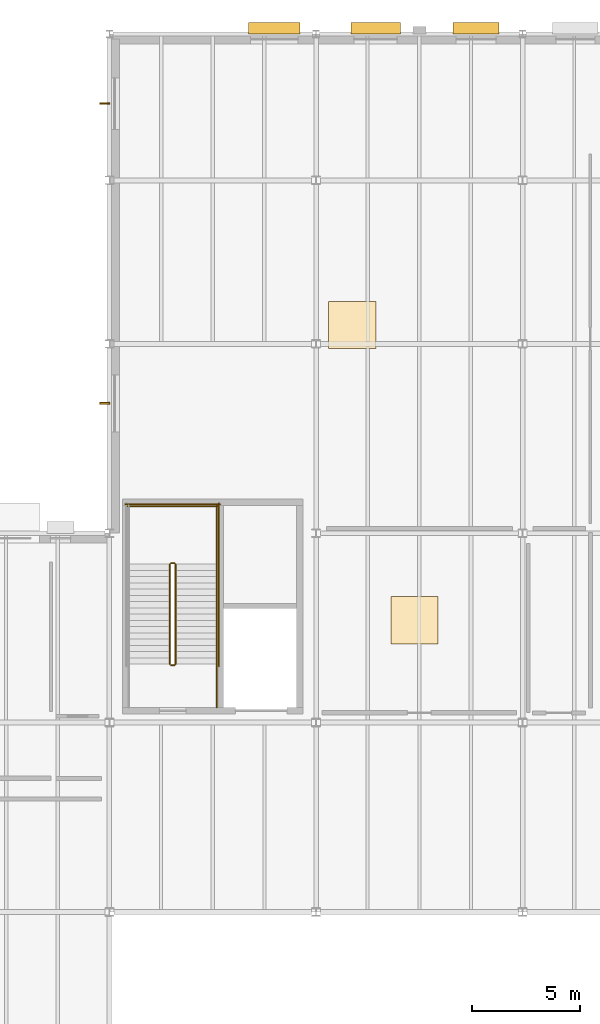
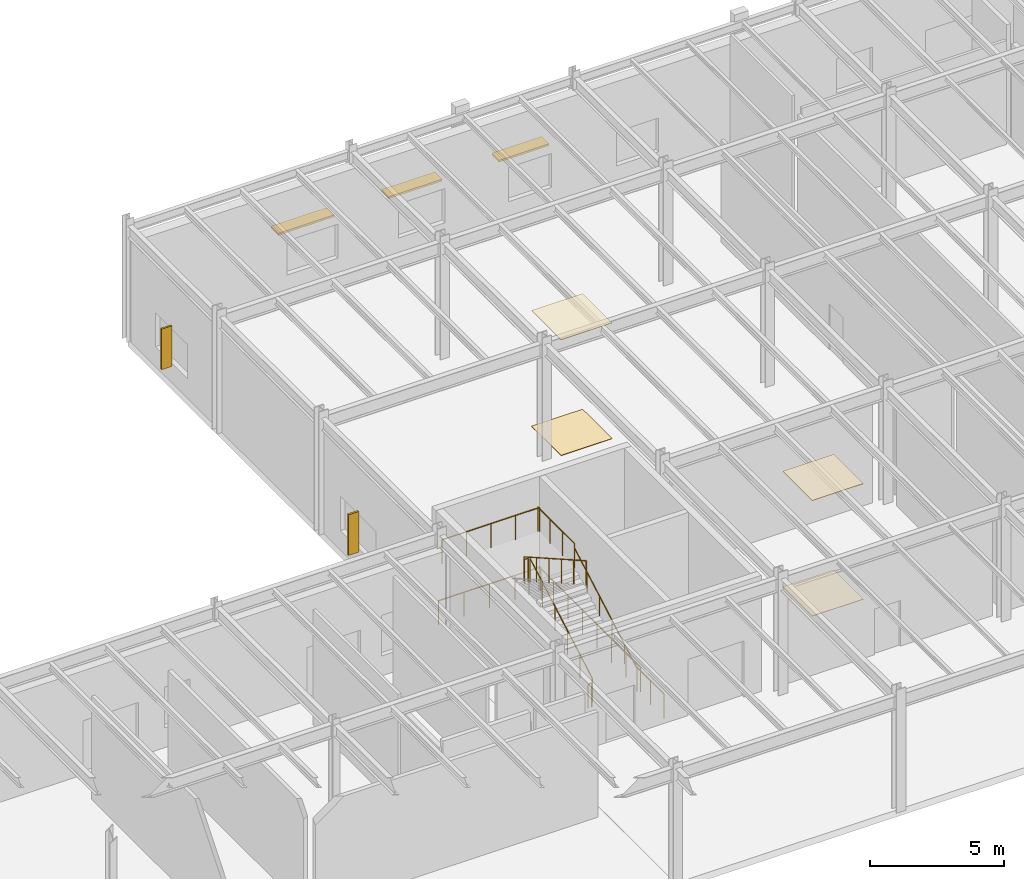
# One storey, part 63 of 70: 10 railings, 5 shading devices, 4 coverings.
"""IFC4 building model written with IfcOpenShell, lengths in metres."""

from ifc_helpers import new_model, si_unit, direction, frame, origin, origin_2d, place, context, subcontext, project, spatial, rectangle, circle, extrude, material, layer, layer_set, type_object, element, save


model = new_model("IFC4")

# Units and contexts
model_context = context("Model", 3, precision=1e-05, world=origin(), true_north=direction((0.0, 1.0)))
body_context = subcontext(model_context, "Body", "Model", "MODEL_VIEW")
ifc_project = project(units=[si_unit("LENGTHUNIT", "METRE"), si_unit("AREAUNIT", "SQUARE_METRE"), si_unit("VOLUMEUNIT", "CUBIC_METRE"), si_unit("PLANEANGLEUNIT", "RADIAN"), si_unit("MASSUNIT", "GRAM", prefix="KILO")], contexts=[model_context])

# Site, building, storey
site_placement = place(None, origin())
site = spatial("IfcSite", under=ifc_project, at=site_placement, CompositionType="ELEMENT")
building_placement = place(site_placement, origin())
building = spatial("IfcBuilding", under=site, at=building_placement, Name="Sarnbrook Museum", CompositionType="ELEMENT")
storey_placement = place(building_placement, origin())
storey = spatial("IfcBuildingStorey", under=building, at=storey_placement, Name="L00", CompositionType="ELEMENT", Elevation=0.0)

# Shading devices
ifc_material_1 = material(Name="Patinated Architectural Bronze")
shading_device_type_1 = type_object("IfcShadingDeviceType", Name="BriseSoleil_Horizontal", PredefinedType="SHUTTER", material=ifc_material_1)
shading_device_1_placement = place(storey_placement, frame((59.43896484375, 115.469970703125, 2.46484375), z_axis=(0.0, 0.0, 1.0), x_axis=(1.0, 0.0, 0.0)))
element("IfcShadingDevice", 1, at=shading_device_1_placement, inside=storey, type_object=shading_device_type_1, Name="Horizontal Bronze Brise-Soleil BS-004", PredefinedType="SHUTTER", context=body_context, shape_type="SweptSolid", body=[
    extrude(rectangle(XDim=2.14990234375, YDim=0.550048828125, at=origin_2d()), origin(), (0.0, 0.0, 1.0), 0.090087890625),
])
shading_device_2_placement = place(storey_placement, frame((54.763916015625, 115.469970703125, 2.46484375), z_axis=(0.0, 0.0, 1.0), x_axis=(1.0, 0.0, 0.0)))
element("IfcShadingDevice", 2, at=shading_device_2_placement, inside=storey, type_object=shading_device_type_1, Name="Horizontal Bronze Brise-Soleil BS-005", PredefinedType="SHUTTER", context=body_context, shape_type="SweptSolid", body=[
    extrude(rectangle(XDim=2.300048828125, YDim=0.550048828125, at=origin_2d()), origin(), (0.0, 0.0, 1.0), 0.090087890625),
])
shading_device_3_placement = place(storey_placement, frame((50.06396484375, 115.469970703125, 2.46484375), z_axis=(0.0, 0.0, 1.0), x_axis=(1.0, 0.0, 0.0)))
element("IfcShadingDevice", 3, at=shading_device_3_placement, inside=storey, type_object=shading_device_type_1, Name="Horizontal Bronze Brise-Soleil BS-006", PredefinedType="SHUTTER", context=body_context, shape_type="SweptSolid", body=[
    extrude(rectangle(XDim=2.39990234375, YDim=0.550048828125, at=origin_2d()), origin(), (0.0, 0.0, 1.0), 0.090087890625),
])

# Coverings
ifc_material_2 = material(Name="Fire-Rated Acoustic Gypsum Plasterboard")
ifc_layer_1 = layer(ifc_material_2, 0.01806640625)
ifc_layer_set_1 = layer_set([ifc_layer_1], Name="Fire-Rated Acoustic Gypsum Plasterboard")
covering_type_1 = type_object("IfcCoveringType", Name="Ceil_Acoustic18", PredefinedType="CEILING", material=ifc_layer_set_1)
covering_1_placement = place(storey_placement, frame((53.68505859375, 101.675048828125, 5.261962890625), z_axis=(0.0, 0.0, 1.0), x_axis=(1.0, 0.0, 0.0)))
element("IfcCovering", 4, at=covering_1_placement, inside=storey, type_object=covering_type_1, Name="Acoustic Ceiling Baffle Panel L00-12", PredefinedType="CEILING", context=body_context, shape_type="SweptSolid", body=[
    extrude(rectangle(XDim=2.199951171875, YDim=2.199951171875, at=origin_2d()), origin(), (0.0, 0.0, 1.0), 0.01806640625),
])
ifc_material_3 = material(Name="Tasmanian Oak Acoustic Timber", Category="wood")
ifc_layer_2 = layer(ifc_material_3, 0.02490234375)
ifc_layer_set_2 = layer_set([ifc_layer_2], Name="Tasmanian Oak Acoustic Timber")
covering_type_2 = type_object("IfcCoveringType", Name="Ceil_Timber25", PredefinedType="CEILING", material=ifc_layer_set_2)
covering_2_placement = place(storey_placement, frame((56.574951171875, 87.955078125, 5.255126953125), z_axis=(0.0, 0.0, 1.0), x_axis=(1.0, 0.0, 0.0)))
element("IfcCovering", 5, at=covering_2_placement, inside=storey, type_object=covering_type_2, Name="Acoustic Ceiling Baffle Panel L00-13", PredefinedType="CEILING", context=body_context, shape_type="SweptSolid", body=[
    extrude(rectangle(XDim=2.199951171875, YDim=2.199951171875, at=origin_2d()), origin(), (0.0, 0.0, 1.0), 0.02490234375),
])
ifc_layer_3 = layer(ifc_material_3, 0.02197265625)
ifc_layer_set_3 = layer_set([ifc_layer_3], Name="Tasmanian Oak Acoustic Timber")
covering_type_3 = type_object("IfcCoveringType", Name="Floor_Oak22", PredefinedType="FLOORING", material=ifc_layer_set_3)
covering_3_placement = place(storey_placement, frame((56.574951171875, 87.955078125, 0.0), z_axis=(0.0, 0.0, 1.0), x_axis=(1.0, 0.0, 0.0)))
element("IfcCovering", 6, at=covering_3_placement, inside=storey, type_object=covering_type_3, Name="Gallery Floor Finish Panel L00-13", PredefinedType="FLOORING", context=body_context, shape_type="SweptSolid", body=[
    extrude(rectangle(XDim=2.199951171875, YDim=2.199951171875, at=origin_2d()), origin(), (0.0, 0.0, 1.0), 0.02197265625),
])
ifc_material_4 = material(Name="Honed Bluestone and Marble Terrazzo Flooring", Category="masonry")
ifc_layer_4 = layer(ifc_material_4, 0.02001953125)
ifc_layer_set_4 = layer_set([ifc_layer_4], Name="Honed Bluestone and Marble Terrazzo Flooring")
covering_type_4 = type_object("IfcCoveringType", Name="Floor_Terrazzo20", PredefinedType="FLOORING", material=ifc_layer_set_4)
covering_4_placement = place(storey_placement, frame((53.68505859375, 101.675048828125, 0.0), z_axis=(0.0, 0.0, 1.0), x_axis=(1.0, 0.0, 0.0)))
element("IfcCovering", 7, at=covering_4_placement, inside=storey, type_object=covering_type_4, Name="Gallery Floor Finish Panel L00-12", PredefinedType="FLOORING", context=body_context, shape_type="SweptSolid", body=[
    extrude(rectangle(XDim=2.199951171875, YDim=2.199951171875, at=origin_2d()), origin(), (0.0, 0.0, 1.0), 0.02001953125),
])

# Railings
ifc_material_5 = material(Name="Brushed Stainless Steel Grade 316", Category="steel")
ifc_layer_5 = layer(ifc_material_5, 0.050048828125)
ifc_layer_set_5 = layer_set([ifc_layer_5], Name="Brushed Stainless Steel Grade 316")
railing_type_1 = type_object("IfcRailingType", Name="Guard_Int1120", PredefinedType="BALUSTRADE", material=ifc_layer_set_5)
railing_1_placement = place(storey_placement, frame((45.469970703125, 85.919921875, 0.164794921875)))
element("IfcRailing", 8, at=railing_1_placement, inside=storey, type_object=railing_type_1, Name="L00 ST6 stair guard 1", PredefinedType="BALUSTRADE", context=body_context, shape_type="SweptSolid", body=[
    extrude(circle(Radius=0.02392578125, at=origin_2d()), frame((0.0, 0.0, 1.09619140625), z_axis=(0.0, 0.869552117174, 0.493841184509), x_axis=(-1.0, 0.0, 0.0)), (0.0, 0.0, 1.0), 5.336181640625),
    extrude(circle(Radius=0.02099609375, at=origin_2d()), origin(), (0.0, 0.0, 1.0), 1.072021484375),
    extrude(circle(Radius=0.02099609375, at=origin_2d()), frame((0.0, 0.927978515625, 0.527099609375)), (0.0, 0.0, 1.0), 1.072021484375),
    extrude(circle(Radius=0.02099609375, at=origin_2d()), frame((0.0, 1.85595703125, 1.05419921875)), (0.0, 0.0, 1.0), 1.072021484375),
    extrude(circle(Radius=0.02099609375, at=origin_2d()), frame((0.0, 2.7841796875, 1.5810546875)), (0.0, 0.0, 1.0), 1.072021484375),
    extrude(circle(Radius=0.02099609375, at=origin_2d()), frame((0.0, 3.712158203125, 2.108154296875)), (0.0, 0.0, 1.0), 1.072021484375),
    extrude(circle(Radius=0.02099609375, at=origin_2d()), frame((0.0, 4.64013671875, 2.63525390625)), (0.0, 0.0, 1.0), 1.072021484375),
])
railing_2_placement = place(storey_placement, frame((45.419921875, 90.610107421875, 2.800048828125)))
element("IfcRailing", 9, at=railing_2_placement, inside=storey, type_object=railing_type_1, Name="L00 ST6 stair guard 2", PredefinedType="BALUSTRADE", context=body_context, shape_type="SweptSolid", body=[
    extrude(circle(Radius=0.02392578125, at=origin_2d()), frame((0.0, 0.0, 1.09619140625), z_axis=(-1.0, 0.0, 0.0), x_axis=(0.0, -1.0, 0.0)), (0.0, 0.0, 1.0), 0.159912109375),
    extrude(circle(Radius=0.02099609375, at=origin_2d()), origin(), (0.0, 0.0, 1.0), 1.072021484375),
    extrude(circle(Radius=0.02099609375, at=origin_2d()), frame((-0.159912109375, 0.0, 0.0)), (0.0, 0.0, 1.0), 1.072021484375),
])
railing_3_placement = place(storey_placement, frame((47.389892578125, 90.56005859375, 2.800048828125)))
element("IfcRailing", 10, at=railing_3_placement, inside=storey, type_object=railing_type_1, Name="L00 ST6 stair guard 3", PredefinedType="BALUSTRADE", context=body_context, shape_type="SweptSolid", body=[
    extrude(circle(Radius=0.02392578125, at=origin_2d()), frame((0.0, 0.0, 1.09619140625), z_axis=(0.0, 1.0, 0.0), x_axis=(-1.0, 0.0, 0.0)), (0.0, 0.0, 1.0), 2.739990234375),
    extrude(circle(Radius=0.02099609375, at=origin_2d()), origin(), (0.0, 0.0, 1.0), 1.072021484375),
    extrude(circle(Radius=0.02099609375, at=origin_2d()), frame((0.0, 0.913330078125, 0.0)), (0.0, 0.0, 1.0), 1.072021484375),
    extrude(circle(Radius=0.02099609375, at=origin_2d()), frame((0.0, 1.82666015625, 0.0)), (0.0, 0.0, 1.0), 1.072021484375),
    extrude(circle(Radius=0.02099609375, at=origin_2d()), frame((0.0, 2.739990234375, 0.0)), (0.0, 0.0, 1.0), 1.072021484375),
])
railing_4_placement = place(storey_placement, frame((47.43994140625, 93.25, 2.800048828125)))
element("IfcRailing", 11, at=railing_4_placement, inside=storey, type_object=railing_type_1, Name="L00 ST6 stair guard 5", PredefinedType="BALUSTRADE", context=body_context, shape_type="SweptSolid", body=[
    extrude(circle(Radius=0.02392578125, at=origin_2d()), frame((0.0, 0.0, 1.09619140625), z_axis=(-1.0, 0.0, 0.0), x_axis=(0.0, -1.0, 0.0)), (0.0, 0.0, 1.0), 4.199951171875),
    extrude(circle(Radius=0.02099609375, at=origin_2d()), origin(), (0.0, 0.0, 1.0), 1.072021484375),
    extrude(circle(Radius=0.02099609375, at=origin_2d()), frame((-1.050048828125, 0.0, 0.0)), (0.0, 0.0, 1.0), 1.072021484375),
    extrude(circle(Radius=0.02099609375, at=origin_2d()), frame((-2.10009765625, 0.0, 0.0)), (0.0, 0.0, 1.0), 1.072021484375),
    extrude(circle(Radius=0.02099609375, at=origin_2d()), frame((-3.14990234375, 0.0, 0.0)), (0.0, 0.0, 1.0), 1.072021484375),
    extrude(circle(Radius=0.02099609375, at=origin_2d()), frame((-4.199951171875, 0.0, 0.0)), (0.0, 0.0, 1.0), 1.072021484375),
])
railing_5_placement = place(storey_placement, frame((45.2099609375, 90.56005859375, 2.964599609375)))
element("IfcRailing", 12, at=railing_5_placement, inside=storey, type_object=railing_type_1, Name="L00 ST6 stair guard 6", PredefinedType="BALUSTRADE", context=body_context, shape_type="SweptSolid", body=[
    extrude(circle(Radius=0.02392578125, at=origin_2d()), frame((0.0, 0.0, 1.09619140625), z_axis=(0.0, -0.869532470312, 0.493875776966), x_axis=(1.0, 0.0, 0.0)), (0.0, 0.0, 1.0), 5.33642578125),
    extrude(circle(Radius=0.02099609375, at=origin_2d()), origin(), (0.0, 0.0, 1.0), 1.072021484375),
    extrude(circle(Radius=0.02099609375, at=origin_2d()), frame((0.0, -0.927978515625, 0.527099609375)), (0.0, 0.0, 1.0), 1.072021484375),
    extrude(circle(Radius=0.02099609375, at=origin_2d()), frame((0.0, -1.85595703125, 1.05419921875)), (0.0, 0.0, 1.0), 1.072021484375),
    extrude(circle(Radius=0.02099609375, at=origin_2d()), frame((0.0, -2.7841796875, 1.581298828125)), (0.0, 0.0, 1.0), 1.072021484375),
    extrude(circle(Radius=0.02099609375, at=origin_2d()), frame((0.0, -3.712158203125, 2.1083984375)), (0.0, 0.0, 1.0), 1.072021484375),
    extrude(circle(Radius=0.02099609375, at=origin_2d()), frame((0.0, -4.64013671875, 2.635498046875)), (0.0, 0.0, 1.0), 1.072021484375),
])
railing_6_placement = place(storey_placement, frame((45.419921875, 85.8701171875, 0.0)))
element("IfcRailing", 13, at=railing_6_placement, inside=storey, type_object=railing_type_1, Name="L00 ST6 stair guard 7", PredefinedType="BALUSTRADE", context=body_context, shape_type="SweptSolid", body=[
    extrude(circle(Radius=0.02392578125, at=origin_2d()), frame((0.0, 0.0, 1.09619140625), z_axis=(-1.0, 0.0, 0.0), x_axis=(0.0, -1.0, 0.0)), (0.0, 0.0, 1.0), 0.159912109375),
    extrude(circle(Radius=0.02099609375, at=origin_2d()), origin(), (0.0, 0.0, 1.0), 1.072021484375),
    extrude(circle(Radius=0.02099609375, at=origin_2d()), frame((-0.159912109375, 0.0, 0.0)), (0.0, 0.0, 1.0), 1.072021484375),
])
railing_7_placement = place(storey_placement, frame((47.389892578125, 83.89990234375, 0.0)))
element("IfcRailing", 14, at=railing_7_placement, inside=storey, type_object=railing_type_1, Name="L00 ST6 stair guard 8", PredefinedType="BALUSTRADE", context=body_context, shape_type="SweptSolid", body=[
    extrude(circle(Radius=0.02392578125, at=origin_2d()), frame((0.0, 0.0, 1.09619140625), z_axis=(0.0, 1.0, 0.0), x_axis=(-1.0, 0.0, 0.0)), (0.0, 0.0, 1.0), 2.02001953125),
    extrude(circle(Radius=0.02099609375, at=origin_2d()), origin(), (0.0, 0.0, 1.0), 1.072021484375),
    extrude(circle(Radius=0.02099609375, at=origin_2d()), frame((0.0, 1.010009765625, 0.0)), (0.0, 0.0, 1.0), 1.072021484375),
    extrude(circle(Radius=0.02099609375, at=origin_2d()), frame((0.0, 2.02001953125, 0.0)), (0.0, 0.0, 1.0), 1.072021484375),
])
railing_8_placement = place(storey_placement, frame((47.489990234375, 85.820068359375, 0.0)))
element("IfcRailing", 15, at=railing_8_placement, inside=storey, type_object=railing_type_1, Name="L00 ST6 stair guard 10", PredefinedType="BALUSTRADE", context=body_context, shape_type="SweptSolid", body=[
    extrude(circle(Radius=0.02392578125, at=origin_2d()), frame((0.0, 0.0, 1.09619140625), z_axis=(0.0, 1.0, 0.0), x_axis=(-1.0, 0.0, 0.0)), (0.0, 0.0, 1.0), 7.579833984375),
    extrude(circle(Radius=0.02099609375, at=origin_2d()), origin(), (0.0, 0.0, 1.0), 1.072021484375),
    extrude(circle(Radius=0.02099609375, at=origin_2d()), frame((0.0, 1.082763671875, 0.0)), (0.0, 0.0, 1.0), 1.072021484375),
    extrude(circle(Radius=0.02099609375, at=origin_2d()), frame((0.0, 2.165771484375, 0.0)), (0.0, 0.0, 1.0), 1.072021484375),
    extrude(circle(Radius=0.02099609375, at=origin_2d()), frame((0.0, 3.24853515625, 0.0)), (0.0, 0.0, 1.0), 1.072021484375),
    extrude(circle(Radius=0.02099609375, at=origin_2d()), frame((0.0, 4.331298828125, 0.0)), (0.0, 0.0, 1.0), 1.072021484375),
    extrude(circle(Radius=0.02099609375, at=origin_2d()), frame((0.0, 5.4140625, 0.0)), (0.0, 0.0, 1.0), 1.072021484375),
    extrude(circle(Radius=0.02099609375, at=origin_2d()), frame((0.0, 6.4970703125, 0.0)), (0.0, 0.0, 1.0), 1.072021484375),
    extrude(circle(Radius=0.02099609375, at=origin_2d()), frame((0.0, 7.579833984375, 0.0)), (0.0, 0.0, 1.0), 1.072021484375),
])
railing_9_placement = place(storey_placement, frame((47.5400390625, 93.35009765625, 0.0)))
element("IfcRailing", 16, at=railing_9_placement, inside=storey, type_object=railing_type_1, Name="L00 ST6 stair guard 12", PredefinedType="BALUSTRADE", context=body_context, shape_type="SweptSolid", body=[
    extrude(circle(Radius=0.02392578125, at=origin_2d()), frame((0.0, 0.0, 1.09619140625), z_axis=(-1.0, 0.0, 0.0), x_axis=(0.0, -1.0, 0.0)), (0.0, 0.0, 1.0), 4.400146484375),
    extrude(circle(Radius=0.02099609375, at=origin_2d()), origin(), (0.0, 0.0, 1.0), 1.072021484375),
    extrude(circle(Radius=0.02099609375, at=origin_2d()), frame((-1.10009765625, 0.0, 0.0)), (0.0, 0.0, 1.0), 1.072021484375),
    extrude(circle(Radius=0.02099609375, at=origin_2d()), frame((-2.2001953125, 0.0, 0.0)), (0.0, 0.0, 1.0), 1.072021484375),
    extrude(circle(Radius=0.02099609375, at=origin_2d()), frame((-3.300048828125, 0.0, 0.0)), (0.0, 0.0, 1.0), 1.072021484375),
    extrude(circle(Radius=0.02099609375, at=origin_2d()), frame((-4.400146484375, 0.0, 0.0)), (0.0, 0.0, 1.0), 1.072021484375),
])
ifc_layer_6 = layer(ifc_material_5, 0.048095703125)
ifc_layer_set_6 = layer_set([ifc_layer_6], Name="Brushed Stainless Steel Grade 316")
railing_type_2 = type_object("IfcRailingType", Name="Handrail_920", PredefinedType="HANDRAIL", material=ifc_layer_set_6)
railing_10_placement = place(storey_placement, frame((47.389892578125, 85.919921875, 0.164794921875)))
element("IfcRailing", 17, at=railing_10_placement, inside=storey, type_object=railing_type_2, Name="L00 ST6 stair handrail 1", PredefinedType="HANDRAIL", context=body_context, shape_type="SweptSolid", body=[
    extrude(circle(Radius=0.02392578125, at=origin_2d()), frame((0.0, 0.0, 0.8857421875), z_axis=(0.0, 0.869552117174, 0.493841184509), x_axis=(-1.0, 0.0, 0.0)), (0.0, 0.0, 1.0), 5.336181640625),
    extrude(circle(Radius=0.02099609375, at=origin_2d()), origin(), (0.0, 0.0, 1.0), 0.86181640625),
    extrude(circle(Radius=0.02099609375, at=origin_2d()), frame((0.0, 0.927978515625, 0.527099609375)), (0.0, 0.0, 1.0), 0.86181640625),
    extrude(circle(Radius=0.02099609375, at=origin_2d()), frame((0.0, 1.85595703125, 1.05419921875)), (0.0, 0.0, 1.0), 0.86181640625),
    extrude(circle(Radius=0.02099609375, at=origin_2d()), frame((0.0, 2.7841796875, 1.5810546875)), (0.0, 0.0, 1.0), 0.86181640625),
    extrude(circle(Radius=0.02099609375, at=origin_2d()), frame((0.0, 3.712158203125, 2.108154296875)), (0.0, 0.0, 1.0), 0.86181640625),
    extrude(circle(Radius=0.02099609375, at=origin_2d()), frame((0.0, 4.64013671875, 2.63525390625)), (0.0, 0.0, 1.0), 0.86181640625),
])

# Shading devices
shading_device_type_2 = type_object("IfcShadingDeviceType", Name="SunFin_VerticalBronze", PredefinedType="USERDEFINED", material=ifc_material_1)
for number, where, z_axis, x_axis, name in (
    (18, (42.179931640625, 111.964111328125, 0.75), (0.0, 0.0, 1.0), (1.0, 0.0, 0.0), "Vertical Bronze Sun-Shading Fin SF-001"),
    (19, (42.179931640625, 98.0390625, 0.75), (0.0, 0.0, 1.0), (1.0, 0.0, 0.0), "Vertical Bronze Sun-Shading Fin SF-002"),
):
    element("IfcShadingDevice", number, at=place(storey_placement, frame(where, z_axis=z_axis, x_axis=x_axis)), inside=storey, type_object=shading_device_type_2, Name=name, ObjectType="FIN", PredefinedType="USERDEFINED", context=body_context, shape_type="SweptSolid", body=[
        extrude(rectangle(XDim=0.449951171875, YDim=0.080078125, at=origin_2d()), origin(), (0.0, 0.0, 1.0), 1.85009765625),
    ])

save(model, "model.ifc")
